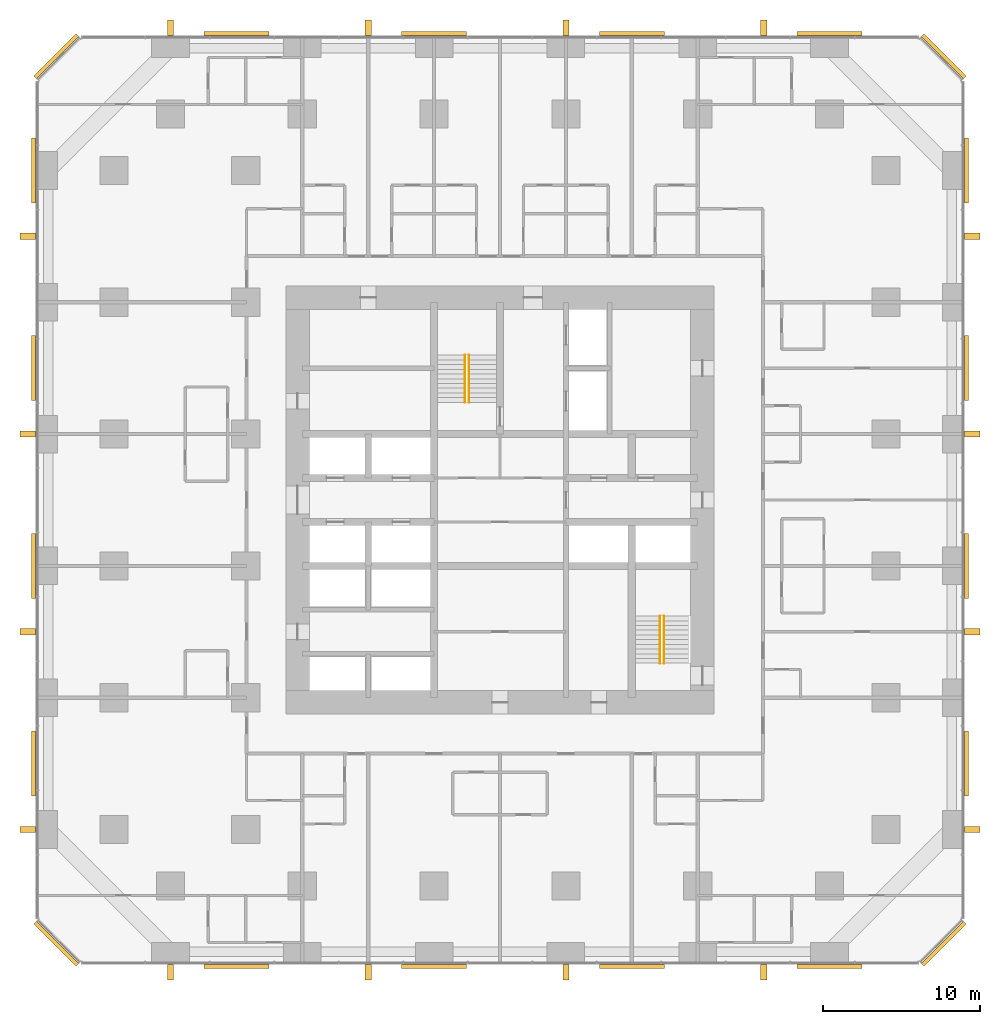
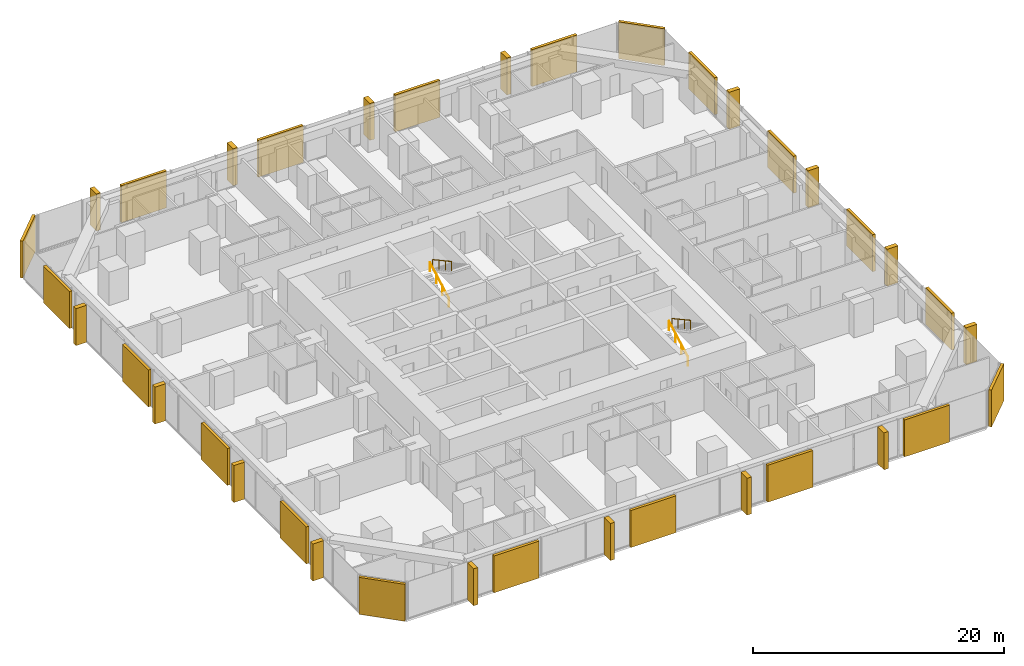
# One storey, part 17 of 17: 20 coverings, 16 shading devices, 4 railings.
"""IFC4 building model written with IfcOpenShell, lengths in metres."""

from ifc_helpers import new_model, si_unit, direction, frame, origin, origin_2d, place, context, subcontext, project, spatial, rectangle, circle, extrude, material, layer, layer_set, type_object, element, save


model = new_model("IFC4")

# Units and contexts
model_context = context("Model", 3, precision=1e-05, world=origin(), true_north=direction((0.0, 1.0)))
body_context = subcontext(model_context, "Body", "Model", "MODEL_VIEW")
ifc_project = project(units=[si_unit("LENGTHUNIT", "METRE"), si_unit("AREAUNIT", "SQUARE_METRE"), si_unit("VOLUMEUNIT", "CUBIC_METRE"), si_unit("PLANEANGLEUNIT", "RADIAN"), si_unit("MASSUNIT", "GRAM", prefix="KILO")], contexts=[model_context])

# Site, building, storey
site_placement = place(None, origin())
site = spatial("IfcSite", under=ifc_project, at=site_placement, CompositionType="ELEMENT")
building_placement = place(site_placement, origin())
building = spatial("IfcBuilding", under=site, at=building_placement, Name="Dunama Terrace Hotel", CompositionType="ELEMENT")
storey_placement = place(building_placement, frame((0.0, 0.0, 66.60009765625)))
storey = spatial("IfcBuildingStorey", under=building, at=storey_placement, Name="L16", CompositionType="ELEMENT", Elevation=66.60009765625)

# Railings
ifc_material_1 = material(Name="Stainless steel handrail", Category="steel")
railing_type = type_object("IfcRailingType", Name="Stair handrail 900", PredefinedType="HANDRAIL", material=ifc_material_1)
railing_1_placement = place(storey_placement, frame((27.175048828125, 35.625, 0.16357421875)))
element("IfcRailing", 1, at=railing_1_placement, inside=storey, type_object=railing_type, Name="Handrail ST1 L16", PredefinedType="HANDRAIL", context=body_context, shape_type="SweptSolid", body=[
    extrude(circle(Radius=0.02392578125, at=origin_2d()), frame((0.0, 0.0, 0.8759765625), z_axis=(0.0, 0.877911954615, 0.47882209634), x_axis=(-1.0, 0.0, 0.0)), (0.0, 0.0, 1.0), 3.417236328125),
    extrude(circle(Radius=0.02099609375, at=origin_2d()), origin(), (0.0, 0.0, 1.0), 0.851806640625),
    extrude(circle(Radius=0.02099609375, at=origin_2d()), frame((0.0, 1.0, 0.54541015625)), (0.0, 0.0, 1.0), 0.851806640625),
    extrude(circle(Radius=0.02099609375, at=origin_2d()), frame((0.0, 2.0, 1.0908203125)), (0.0, 0.0, 1.0), 0.851806640625),
    extrude(circle(Radius=0.02099609375, at=origin_2d()), frame((0.0, 3.0, 1.63623046875)), (0.0, 0.0, 1.0), 0.851806640625),
])
railing_2_placement = place(storey_placement, frame((27.425048828125, 38.625, 1.963623046875)))
element("IfcRailing", 2, at=railing_2_placement, inside=storey, type_object=railing_type, Name="Handrail ST1 L16", PredefinedType="HANDRAIL", context=body_context, shape_type="SweptSolid", body=[
    extrude(circle(Radius=0.02392578125, at=origin_2d()), frame((0.0, 0.0, 0.8759765625), z_axis=(0.0, -0.877911954615, 0.47882209634), x_axis=(1.0, 0.0, 0.0)), (0.0, 0.0, 1.0), 3.417236328125),
    extrude(circle(Radius=0.02099609375, at=origin_2d()), origin(), (0.0, 0.0, 1.0), 0.851806640625),
    extrude(circle(Radius=0.02099609375, at=origin_2d()), frame((0.0, -1.0, 0.54541015625)), (0.0, 0.0, 1.0), 0.851806640625),
    extrude(circle(Radius=0.02099609375, at=origin_2d()), frame((0.0, -2.0, 1.0908203125)), (0.0, 0.0, 1.0), 0.851806640625),
    extrude(circle(Radius=0.02099609375, at=origin_2d()), frame((0.0, -3.0, 1.63623046875)), (0.0, 0.0, 1.0), 0.851806640625),
])
railing_3_placement = place(storey_placement, frame((39.60009765625, 19.0, 0.16357421875)))
element("IfcRailing", 3, at=railing_3_placement, inside=storey, type_object=railing_type, Name="Handrail ST2 L16", PredefinedType="HANDRAIL", context=body_context, shape_type="SweptSolid", body=[
    extrude(circle(Radius=0.02392578125, at=origin_2d()), frame((0.0, 0.0, 0.8759765625), z_axis=(0.0, 0.877911954615, 0.47882209634), x_axis=(-1.0, 0.0, 0.0)), (0.0, 0.0, 1.0), 3.417236328125),
    extrude(circle(Radius=0.02099609375, at=origin_2d()), origin(), (0.0, 0.0, 1.0), 0.851806640625),
    extrude(circle(Radius=0.02099609375, at=origin_2d()), frame((0.0, 1.0, 0.54541015625)), (0.0, 0.0, 1.0), 0.851806640625),
    extrude(circle(Radius=0.02099609375, at=origin_2d()), frame((0.0, 2.0, 1.0908203125)), (0.0, 0.0, 1.0), 0.851806640625),
    extrude(circle(Radius=0.02099609375, at=origin_2d()), frame((0.0, 3.0, 1.63623046875)), (0.0, 0.0, 1.0), 0.851806640625),
])
railing_4_placement = place(storey_placement, frame((39.85009765625, 22.0, 1.963623046875)))
element("IfcRailing", 4, at=railing_4_placement, inside=storey, type_object=railing_type, Name="Handrail ST2 L16", PredefinedType="HANDRAIL", context=body_context, shape_type="SweptSolid", body=[
    extrude(circle(Radius=0.02392578125, at=origin_2d()), frame((0.0, 0.0, 0.8759765625), z_axis=(0.0, -0.877911954615, 0.47882209634), x_axis=(1.0, 0.0, 0.0)), (0.0, 0.0, 1.0), 3.417236328125),
    extrude(circle(Radius=0.02099609375, at=origin_2d()), origin(), (0.0, 0.0, 1.0), 0.851806640625),
    extrude(circle(Radius=0.02099609375, at=origin_2d()), frame((0.0, -1.0, 0.54541015625)), (0.0, 0.0, 1.0), 0.851806640625),
    extrude(circle(Radius=0.02099609375, at=origin_2d()), frame((0.0, -2.0, 1.0908203125)), (0.0, 0.0, 1.0), 0.851806640625),
    extrude(circle(Radius=0.02099609375, at=origin_2d()), frame((0.0, -3.0, 1.63623046875)), (0.0, 0.0, 1.0), 0.851806640625),
])

# Coverings
ifc_material_2 = material(Name="Warm reconstituted stone panel", Category="masonry")
ifc_layer_1 = layer(ifc_material_2, 0.25)
ifc_layer_set_1 = layer_set([ifc_layer_1], Name="Stone diagonal panel")
covering_type = type_object("IfcCoveringType", Name="Stone diagonal panel", PredefinedType="CLADDING", material=ifc_layer_set_1)
for number, where, z_axis, x_axis, name in (
    (5, (12.60009765625, -0.322998046875, 0.001953125), (0.0, 0.0, 1.0), (1.0, 0.0, 0.0), "Stone diagonal panel L16"),
    (6, (25.199951171875, -0.322998046875, 0.001953125), (0.0, 0.0, 1.0), (1.0, 0.0, 0.0), "Stone diagonal panel L16"),
    (7, (37.800048828125, -0.322998046875, 0.001953125), (0.0, 0.0, 1.0), (1.0, 0.0, 0.0), "Stone diagonal panel L16"),
    (8, (50.39990234375, -0.322998046875, 0.001953125), (0.0, 0.0, 1.0), (1.0, 0.0, 0.0), "Stone diagonal panel L16"),
):
    element("IfcCovering", number, at=place(storey_placement, frame(where, z_axis=z_axis, x_axis=x_axis)), inside=storey, type_object=covering_type, Name=name, PredefinedType="CLADDING", context=body_context, shape_type="SweptSolid", body=[
        extrude(rectangle(XDim=4.14990234375, YDim=0.25, at=origin_2d()), origin(), (0.0, 0.0, 1.0), 3.595947265625),
    ])
covering_1_placement = place(storey_placement, frame((57.678955078125, 1.12109375, 0.001953125), z_axis=(0.0, 0.0, 1.0), x_axis=(0.707106781187, 0.707106781187, 0.0)))
element("IfcCovering", 9, at=covering_1_placement, inside=storey, type_object=covering_type, Name="Stone diagonal panel L16", PredefinedType="CLADDING", context=body_context, shape_type="SweptSolid", body=[
    extrude(rectangle(XDim=3.808349609375, YDim=0.25, at=origin_2d()), origin(), (0.0, 0.0, 1.0), 3.595947265625),
])
for number, where, z_axis, x_axis, name in (
    (10, (59.123046875, 12.60009765625, 0.001953125), (0.0, 0.0, 1.0), (0.0, 1.0, 0.0), "Stone diagonal panel L16"),
    (11, (59.123046875, 25.199951171875, 0.001953125), (0.0, 0.0, 1.0), (0.0, 1.0, 0.0), "Stone diagonal panel L16"),
    (12, (59.123046875, 37.800048828125, 0.001953125), (0.0, 0.0, 1.0), (0.0, 1.0, 0.0), "Stone diagonal panel L16"),
    (13, (59.123046875, 50.39990234375, 0.001953125), (0.0, 0.0, 1.0), (0.0, 1.0, 0.0), "Stone diagonal panel L16"),
):
    element("IfcCovering", number, at=place(storey_placement, frame(where, z_axis=z_axis, x_axis=x_axis)), inside=storey, type_object=covering_type, Name=name, PredefinedType="CLADDING", context=body_context, shape_type="SweptSolid", body=[
        extrude(rectangle(XDim=4.14990234375, YDim=0.25, at=origin_2d()), origin(), (0.0, 0.0, 1.0), 3.595947265625),
    ])
covering_2_placement = place(storey_placement, frame((57.678955078125, 57.678955078125, 0.001953125), z_axis=(0.0, 0.0, 1.0), x_axis=(-0.707106781187, 0.707106781187, 0.0)))
element("IfcCovering", 14, at=covering_2_placement, inside=storey, type_object=covering_type, Name="Stone diagonal panel L16", PredefinedType="CLADDING", context=body_context, shape_type="SweptSolid", body=[
    extrude(rectangle(XDim=3.808349609375, YDim=0.25, at=origin_2d()), origin(), (0.0, 0.0, 1.0), 3.595947265625),
])
for number, where, z_axis, x_axis, name in (
    (15, (50.39990234375, 59.123046875, 0.001953125), (0.0, 0.0, 1.0), (-1.0, 0.0, 0.0), "Stone diagonal panel L16"),
    (16, (37.800048828125, 59.123046875, 0.001953125), (0.0, 0.0, 1.0), (-1.0, 0.0, 0.0), "Stone diagonal panel L16"),
    (17, (25.199951171875, 59.123046875, 0.001953125), (0.0, 0.0, 1.0), (-1.0, 0.0, 0.0), "Stone diagonal panel L16"),
    (18, (12.60009765625, 59.123046875, 0.001953125), (0.0, 0.0, 1.0), (-1.0, 0.0, 0.0), "Stone diagonal panel L16"),
):
    element("IfcCovering", number, at=place(storey_placement, frame(where, z_axis=z_axis, x_axis=x_axis)), inside=storey, type_object=covering_type, Name=name, PredefinedType="CLADDING", context=body_context, shape_type="SweptSolid", body=[
        extrude(rectangle(XDim=4.14990234375, YDim=0.25, at=origin_2d()), origin(), (0.0, 0.0, 1.0), 3.595947265625),
    ])
covering_3_placement = place(storey_placement, frame((1.12109375, 57.678955078125, 0.001953125), z_axis=(0.0, 0.0, 1.0), x_axis=(-0.707106781187, -0.707106781187, 0.0)))
element("IfcCovering", 19, at=covering_3_placement, inside=storey, type_object=covering_type, Name="Stone diagonal panel L16", PredefinedType="CLADDING", context=body_context, shape_type="SweptSolid", body=[
    extrude(rectangle(XDim=3.808349609375, YDim=0.25, at=origin_2d()), origin(), (0.0, 0.0, 1.0), 3.595947265625),
])
for number, where, z_axis, x_axis, name in (
    (20, (-0.322998046875, 50.39990234375, 0.001953125), (0.0, 0.0, 1.0), (0.0, -1.0, 0.0), "Stone diagonal panel L16"),
    (21, (-0.322998046875, 37.800048828125, 0.001953125), (0.0, 0.0, 1.0), (0.0, -1.0, 0.0), "Stone diagonal panel L16"),
    (22, (-0.322998046875, 25.199951171875, 0.001953125), (0.0, 0.0, 1.0), (0.0, -1.0, 0.0), "Stone diagonal panel L16"),
    (23, (-0.322998046875, 12.60009765625, 0.001953125), (0.0, 0.0, 1.0), (0.0, -1.0, 0.0), "Stone diagonal panel L16"),
):
    element("IfcCovering", number, at=place(storey_placement, frame(where, z_axis=z_axis, x_axis=x_axis)), inside=storey, type_object=covering_type, Name=name, PredefinedType="CLADDING", context=body_context, shape_type="SweptSolid", body=[
        extrude(rectangle(XDim=4.14990234375, YDim=0.25, at=origin_2d()), origin(), (0.0, 0.0, 1.0), 3.595947265625),
    ])
covering_4_placement = place(storey_placement, frame((1.12109375, 1.12109375, 0.001953125), z_axis=(0.0, 0.0, 1.0), x_axis=(0.707106781187, -0.707106781187, 0.0)))
element("IfcCovering", 24, at=covering_4_placement, inside=storey, type_object=covering_type, Name="Stone diagonal panel L16", PredefinedType="CLADDING", context=body_context, shape_type="SweptSolid", body=[
    extrude(rectangle(XDim=3.808349609375, YDim=0.25, at=origin_2d()), origin(), (0.0, 0.0, 1.0), 3.595947265625),
])

# Shading devices
ifc_material_3 = material(Name="Warm reconstituted stone fin", Category="masonry")
ifc_layer_2 = layer(ifc_material_3, 0.39990234375)
ifc_layer_set_2 = layer_set([ifc_layer_2], Name="Warm stone fin 400x1000")
shading_device_type = type_object("IfcShadingDeviceType", Name="Warm stone fin 400x1000", PredefinedType="USERDEFINED", material=ifc_layer_set_2)
for number, where, z_axis, x_axis, name in (
    (25, (8.39990234375, -0.68798828125, -0.000244140625), (0.0, 0.0, 1.0), (1.0, 0.0, 0.0), "Stone fin"),
    (26, (21.0, -0.68798828125, -0.000244140625), (0.0, 0.0, 1.0), (1.0, 0.0, 0.0), "Stone fin"),
    (27, (33.60009765625, -0.68798828125, -0.000244140625), (0.0, 0.0, 1.0), (1.0, 0.0, 0.0), "Stone fin"),
    (28, (46.199951171875, -0.68798828125, -0.000244140625), (0.0, 0.0, 1.0), (1.0, 0.0, 0.0), "Stone fin"),
    (29, (59.488037109375, 8.39990234375, -0.000244140625), (0.0, 0.0, 1.0), (0.0, 1.0, 0.0), "Stone fin"),
    (30, (59.488037109375, 21.0, -0.000244140625), (0.0, 0.0, 1.0), (0.0, 1.0, 0.0), "Stone fin"),
    (31, (59.488037109375, 33.60009765625, -0.000244140625), (0.0, 0.0, 1.0), (0.0, 1.0, 0.0), "Stone fin"),
    (32, (59.488037109375, 46.199951171875, -0.000244140625), (0.0, 0.0, 1.0), (0.0, 1.0, 0.0), "Stone fin"),
    (33, (46.199951171875, 59.488037109375, -0.000244140625), (0.0, 0.0, 1.0), (-1.0, 0.0, 0.0), "Stone fin"),
    (34, (33.60009765625, 59.488037109375, -0.000244140625), (0.0, 0.0, 1.0), (-1.0, 0.0, 0.0), "Stone fin"),
    (35, (21.0, 59.488037109375, -0.000244140625), (0.0, 0.0, 1.0), (-1.0, 0.0, 0.0), "Stone fin"),
    (36, (8.39990234375, 59.488037109375, -0.000244140625), (0.0, 0.0, 1.0), (-1.0, 0.0, 0.0), "Stone fin"),
    (37, (-0.68798828125, 46.199951171875, -0.000244140625), (0.0, 0.0, 1.0), (0.0, -1.0, 0.0), "Stone fin"),
    (38, (-0.68798828125, 33.60009765625, -0.000244140625), (0.0, 0.0, 1.0), (0.0, -1.0, 0.0), "Stone fin"),
    (39, (-0.68798828125, 21.0, -0.000244140625), (0.0, 0.0, 1.0), (0.0, -1.0, 0.0), "Stone fin"),
    (40, (-0.68798828125, 8.39990234375, -0.000244140625), (0.0, 0.0, 1.0), (0.0, -1.0, 0.0), "Stone fin"),
):
    element("IfcShadingDevice", number, at=place(storey_placement, frame(where, z_axis=z_axis, x_axis=x_axis)), inside=storey, type_object=shading_device_type, Name=name, ObjectType="FIN", PredefinedType="USERDEFINED", context=body_context, shape_type="SweptSolid", body=[
        extrude(rectangle(XDim=0.39990234375, YDim=1.0, at=origin_2d()), origin(), (0.0, 0.0, 1.0), 3.60009765625),
    ])

save(model, "model.ifc")
